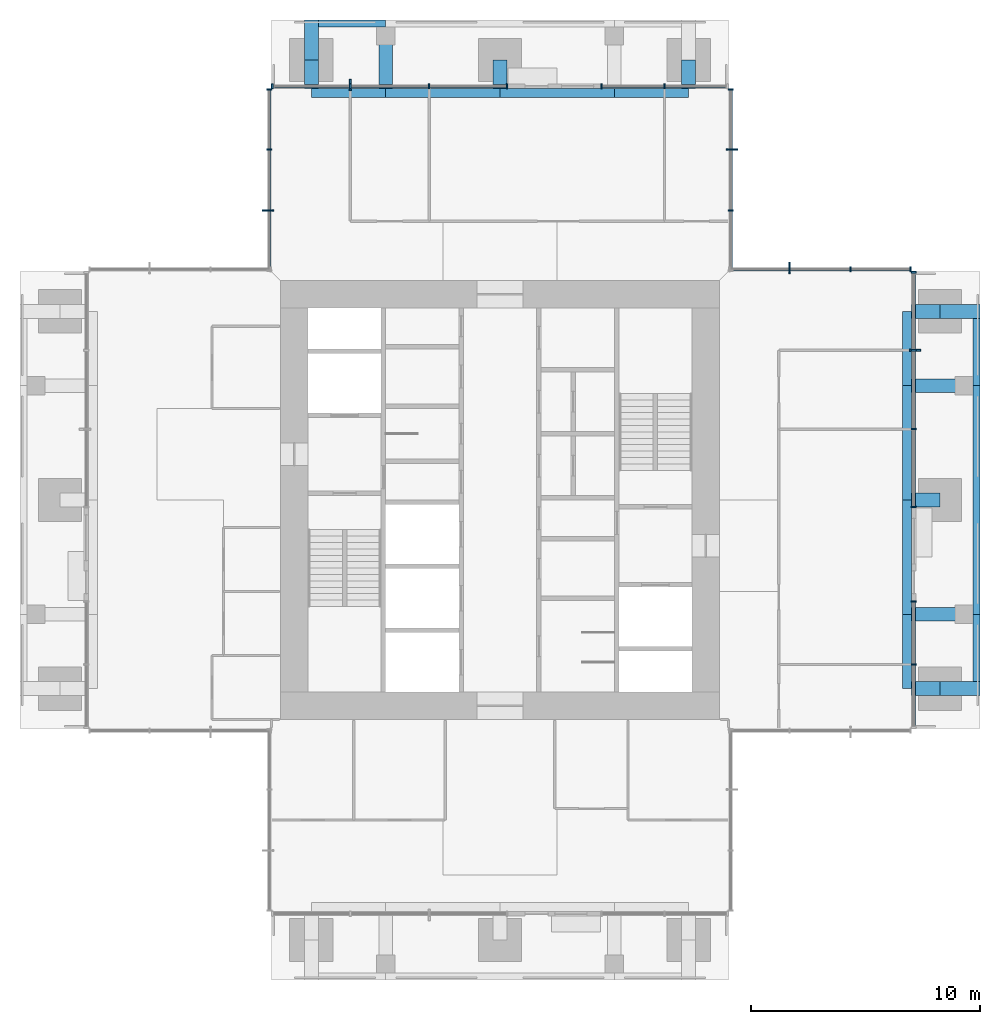
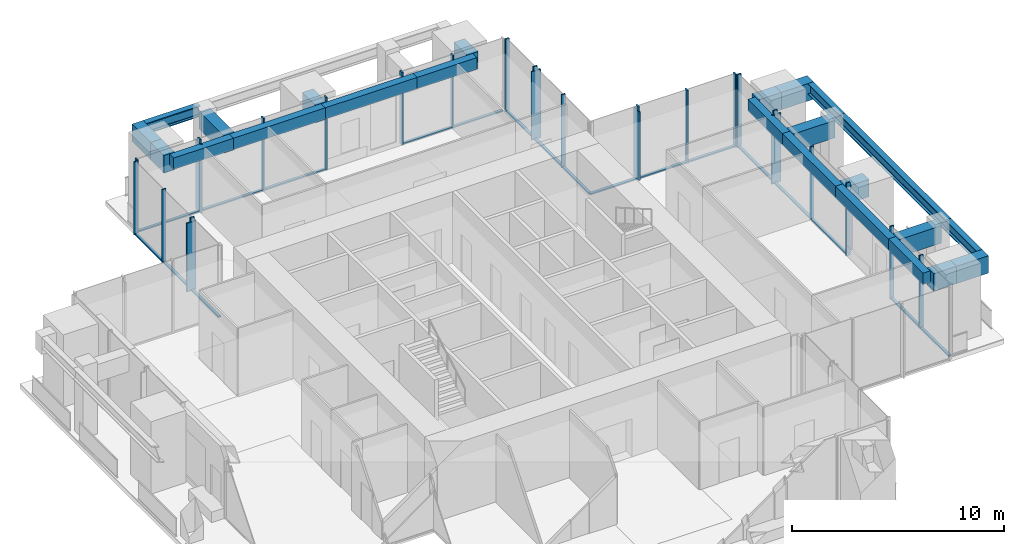
# One storey, part 4 of 12: 45 members, 24 beams, 7 elements without a shape of their own.
"""IFC4 building model written with IfcOpenShell, lengths in metres."""

from ifc_helpers import new_model, si_unit, direction, frame, origin, origin_2d, place, context, subcontext, project, spatial, rectangle, i_section, extrude, material, material_profile, profile_set, type_object, element, aggregate, save


model = new_model("IFC4")

# Units and contexts
model_context = context("Model", 3, precision=1e-05, world=origin(), true_north=direction((0.0, 1.0)))
body_context = subcontext(model_context, "Body", "Model", "MODEL_VIEW")
ifc_project = project(units=[si_unit("LENGTHUNIT", "METRE"), si_unit("AREAUNIT", "SQUARE_METRE"), si_unit("VOLUMEUNIT", "CUBIC_METRE"), si_unit("PLANEANGLEUNIT", "RADIAN"), si_unit("MASSUNIT", "GRAM", prefix="KILO")], contexts=[model_context])

# Site, building, storey
site_placement = place(None, origin())
site = spatial("IfcSite", under=ifc_project, at=site_placement, CompositionType="ELEMENT")
building_placement = place(site_placement, origin())
building = spatial("IfcBuilding", under=site, at=building_placement, Name="Svetlomir Tower", CompositionType="ELEMENT")
storey_placement = place(building_placement, frame((0.0, 0.0, 252.39990234375)))
storey = spatial("IfcBuildingStorey", under=building, at=storey_placement, Name="L60", CompositionType="ELEMENT", Elevation=252.39990234375)

# Curtain wall, member
ifc_material_1 = material(Name="Bronze anodised aluminium curtain wall", Category="aluminium")
curtain_wall_type = type_object("IfcCurtainWallType", Name="CURTAIN WALL CW4 EXECUTIVE", PredefinedType="NOTDEFINED", material=ifc_material_1)
curtain_wall_1_placement = place(storey_placement, origin())
curtain_wall_1 = element("IfcCurtainWall", 1, at=curtain_wall_1_placement, inside=storey, type_object=curtain_wall_type, Name="Curtain wall CW4 L60", PredefinedType="NOTDEFINED")
ifc_material_2 = material(Name="Bronze anodised aluminium", Category="aluminium")
ifc_material_profile_1 = material_profile(ifc_material_2, rectangle(XDim=0.080078125, YDim=0.5, at=origin_2d()), Name="FIN 80x500")
ifc_profile_set_1 = profile_set([ifc_material_profile_1], Name="Bronze anodised aluminium 6063-T6")
member_type_1 = type_object("IfcMemberType", Name="BRONZE FIN 80x500", PredefinedType="USERDEFINED", material=ifc_profile_set_1)
member_1_placement = place(storey_placement, frame((39.14990234375, 27.550048828125, 0.0), z_axis=(0.0, 0.0, 1.0), x_axis=(0.0, 1.0, 0.0)))
member_1 = element("IfcMember", 2, at=member_1_placement, type_object=member_type_1, Name="Bronze fin L60", ObjectType="FIN", PredefinedType="USERDEFINED", context=body_context, shape_type="SweptSolid", body=[
    extrude(rectangle(XDim=0.080078125, YDim=0.5, at=origin_2d()), origin(), (0.0, 0.0, 1.0), 3.9501953125),
])

curtain_wall_2_placement = place(storey_placement, origin())
curtain_wall_2 = element("IfcCurtainWall", 3, at=curtain_wall_2_placement, inside=storey, type_object=curtain_wall_type, Name="Curtain wall CW4 L60", PredefinedType="NOTDEFINED")
member_2_placement = place(storey_placement, frame((33.666748046875, 31.14990234375, 0.0), z_axis=(0.0, 0.0, 1.0), x_axis=(1.0, 0.0, 0.0)))
member_2 = element("IfcMember", 4, at=member_2_placement, type_object=member_type_1, Name="Bronze fin L60", ObjectType="FIN", PredefinedType="USERDEFINED", context=body_context, shape_type="SweptSolid", body=[
    extrude(rectangle(XDim=0.080078125, YDim=0.5, at=origin_2d()), origin(), (0.0, 0.0, 1.0), 3.9501953125),
])

curtain_wall_3_placement = place(storey_placement, origin())
curtain_wall_3 = element("IfcCurtainWall", 5, at=curtain_wall_3_placement, inside=storey, type_object=curtain_wall_type, Name="Curtain wall CW4 L60", PredefinedType="NOTDEFINED")
member_3_placement = place(storey_placement, frame((31.14990234375, 36.333251953125, 0.0), z_axis=(0.0, 0.0, 1.0), x_axis=(0.0, 1.0, 0.0)))
member_3 = element("IfcMember", 6, at=member_3_placement, type_object=member_type_1, Name="Bronze fin L60", ObjectType="FIN", PredefinedType="USERDEFINED", context=body_context, shape_type="SweptSolid", body=[
    extrude(rectangle(XDim=0.080078125, YDim=0.5, at=origin_2d()), origin(), (0.0, 0.0, 1.0), 3.9501953125),
])

curtain_wall_4_placement = place(storey_placement, origin())
curtain_wall_4 = element("IfcCurtainWall", 7, at=curtain_wall_4_placement, inside=storey, type_object=curtain_wall_type, Name="Curtain wall CW4 L60", PredefinedType="NOTDEFINED")
member_4_placement = place(storey_placement, frame((14.449951171875, 39.14990234375, 0.0), z_axis=(0.0, 0.0, 1.0), x_axis=(1.0, 0.0, 0.0)))
member_4 = element("IfcMember", 8, at=member_4_placement, type_object=member_type_1, Name="Bronze fin L60", ObjectType="FIN", PredefinedType="USERDEFINED", context=body_context, shape_type="SweptSolid", body=[
    extrude(rectangle(XDim=0.080078125, YDim=0.5, at=origin_2d()), origin(), (0.0, 0.0, 1.0), 3.9501953125),
])

curtain_wall_5_placement = place(storey_placement, origin())
curtain_wall_5 = element("IfcCurtainWall", 9, at=curtain_wall_5_placement, inside=storey, type_object=curtain_wall_type, Name="Curtain wall CW4 L60", PredefinedType="NOTDEFINED")
member_5_placement = place(storey_placement, frame((10.85009765625, 33.666748046875, 0.0), z_axis=(0.0, 0.0, 1.0), x_axis=(0.0, 1.0, 0.0)))
member_5 = element("IfcMember", 10, at=member_5_placement, type_object=member_type_1, Name="Bronze fin L60", ObjectType="FIN", PredefinedType="USERDEFINED", context=body_context, shape_type="SweptSolid", body=[
    extrude(rectangle(XDim=0.080078125, YDim=0.5, at=origin_2d()), origin(), (0.0, 0.0, 1.0), 3.9501953125),
])

# Curtain wall, members
curtain_wall_6_placement = place(storey_placement, origin())
curtain_wall_6 = element("IfcCurtainWall", 11, at=curtain_wall_6_placement, inside=storey, type_object=curtain_wall_type, Name="Curtain wall CW4 L60", PredefinedType="NOTDEFINED")
ifc_material_3 = material(Name="Bronze anodised aluminium", Category="aluminium")
ifc_material_profile_2 = material_profile(ifc_material_3, rectangle(XDim=0.074951171875, YDim=0.219970703125, at=origin_2d()), Name="AL 75x220")
ifc_profile_set_2 = profile_set([ifc_material_profile_2], Name="Bronze anodised aluminium 6063-T6")
member_type_2 = type_object("IfcMemberType", Name="CW4 MULLION 75x220", PredefinedType="MULLION", material=ifc_profile_set_2)
member_6_placement = place(storey_placement, frame((39.10009765625, 13.800048828125, 0.0), z_axis=(0.0, 0.0, 1.0), x_axis=(0.0, 1.0, 0.0)))
member_6 = element("IfcMember", 12, at=member_6_placement, type_object=member_type_2, Name="CW4 mullion 2", PredefinedType="MULLION", context=body_context, shape_type="SweptSolid", body=[
    extrude(rectangle(XDim=0.074951171875, YDim=0.219970703125, at=origin_2d()), origin(), (0.0, 0.0, 1.0), 4.2001953125),
])
member_7_placement = place(storey_placement, frame((39.10009765625, 16.5625, 0.0), z_axis=(0.0, 0.0, 1.0), x_axis=(0.0, 1.0, 0.0)))
member_7 = element("IfcMember", 13, at=member_7_placement, type_object=member_type_2, Name="CW4 mullion 3", PredefinedType="MULLION", context=body_context, shape_type="SweptSolid", body=[
    extrude(rectangle(XDim=0.074951171875, YDim=0.219970703125, at=origin_2d()), origin(), (0.0, 0.0, 1.0), 4.2001953125),
])

# Member
member_8_placement = place(storey_placement, frame((39.10009765625, 20.6875, 0.0), z_axis=(0.0, 0.0, 1.0), x_axis=(0.0, 1.0, 0.0)))
member_8 = element("IfcMember", 14, at=member_8_placement, type_object=member_type_2, Name="CW4 mullion 1", PredefinedType="MULLION", context=body_context, shape_type="SweptSolid", body=[
    extrude(rectangle(XDim=0.074951171875, YDim=0.219970703125, at=origin_2d()), origin(), (0.0, 0.0, 1.0), 4.2001953125),
])

member_9_placement = place(storey_placement, frame((39.10009765625, 24.10009765625, 0.0), z_axis=(0.0, 0.0, 1.0), x_axis=(0.0, 1.0, 0.0)))
member_9 = element("IfcMember", 15, at=member_9_placement, type_object=member_type_2, Name="CW4 mullion 2", PredefinedType="MULLION", context=body_context, shape_type="SweptSolid", body=[
    extrude(rectangle(XDim=0.074951171875, YDim=0.219970703125, at=origin_2d()), origin(), (0.0, 0.0, 1.0), 4.2001953125),
])

member_10_placement = place(storey_placement, frame((39.10009765625, 27.550048828125, 0.0), z_axis=(0.0, 0.0, 1.0), x_axis=(0.0, 1.0, 0.0)))
member_10 = element("IfcMember", 16, at=member_10_placement, type_object=member_type_2, Name="CW4 mullion 3", PredefinedType="MULLION", context=body_context, shape_type="SweptSolid", body=[
    extrude(rectangle(XDim=0.074951171875, YDim=0.219970703125, at=origin_2d()), origin(), (0.0, 0.0, 1.0), 4.2001953125),
])

member_11_placement = place(storey_placement, frame((39.10009765625, 30.96240234375, 0.0), z_axis=(0.0, 0.0, 1.0), x_axis=(0.0, 1.0, 0.0)))
member_11 = element("IfcMember", 17, at=member_11_placement, type_object=member_type_2, Name="CW4 mullion 4", PredefinedType="MULLION", context=body_context, shape_type="SweptSolid", body=[
    extrude(rectangle(XDim=0.074951171875, YDim=0.219970703125, at=origin_2d()), origin(), (0.0, 0.0, 1.0), 4.2001953125),
])

member_12_placement = place(storey_placement, frame((38.96240234375, 31.10009765625, 0.0), z_axis=(0.0, 0.0, 1.0), x_axis=(-1.0, 0.0, 0.0)))
member_12 = element("IfcMember", 18, at=member_12_placement, type_object=member_type_2, Name="CW4 mullion 1", PredefinedType="MULLION", context=body_context, shape_type="SweptSolid", body=[
    extrude(rectangle(XDim=0.074951171875, YDim=0.219970703125, at=origin_2d()), origin(), (0.0, 0.0, 1.0), 4.2001953125),
])

member_13_placement = place(storey_placement, frame((36.333251953125, 31.10009765625, 0.0), z_axis=(0.0, 0.0, 1.0), x_axis=(-1.0, 0.0, 0.0)))
member_13 = element("IfcMember", 19, at=member_13_placement, type_object=member_type_2, Name="CW4 mullion 2", PredefinedType="MULLION", context=body_context, shape_type="SweptSolid", body=[
    extrude(rectangle(XDim=0.074951171875, YDim=0.219970703125, at=origin_2d()), origin(), (0.0, 0.0, 1.0), 4.2001953125),
])

member_14_placement = place(storey_placement, frame((33.666748046875, 31.10009765625, 0.0), z_axis=(0.0, 0.0, 1.0), x_axis=(-1.0, 0.0, 0.0)))
member_14 = element("IfcMember", 20, at=member_14_placement, type_object=member_type_2, Name="CW4 mullion 3", PredefinedType="MULLION", context=body_context, shape_type="SweptSolid", body=[
    extrude(rectangle(XDim=0.074951171875, YDim=0.219970703125, at=origin_2d()), origin(), (0.0, 0.0, 1.0), 4.2001953125),
])

member_15_placement = place(storey_placement, frame((31.10009765625, 33.666748046875, 0.0), z_axis=(0.0, 0.0, 1.0), x_axis=(0.0, 1.0, 0.0)))
member_15 = element("IfcMember", 21, at=member_15_placement, type_object=member_type_2, Name="CW4 mullion 2", PredefinedType="MULLION", context=body_context, shape_type="SweptSolid", body=[
    extrude(rectangle(XDim=0.074951171875, YDim=0.219970703125, at=origin_2d()), origin(), (0.0, 0.0, 1.0), 4.2001953125),
])

member_16_placement = place(storey_placement, frame((31.10009765625, 36.333251953125, 0.0), z_axis=(0.0, 0.0, 1.0), x_axis=(0.0, 1.0, 0.0)))
member_16 = element("IfcMember", 22, at=member_16_placement, type_object=member_type_2, Name="CW4 mullion 3", PredefinedType="MULLION", context=body_context, shape_type="SweptSolid", body=[
    extrude(rectangle(XDim=0.074951171875, YDim=0.219970703125, at=origin_2d()), origin(), (0.0, 0.0, 1.0), 4.2001953125),
])

member_17_placement = place(storey_placement, frame((31.10009765625, 38.96240234375, 0.0), z_axis=(0.0, 0.0, 1.0), x_axis=(0.0, 1.0, 0.0)))
member_17 = element("IfcMember", 23, at=member_17_placement, type_object=member_type_2, Name="CW4 mullion 4", PredefinedType="MULLION", context=body_context, shape_type="SweptSolid", body=[
    extrude(rectangle(XDim=0.074951171875, YDim=0.219970703125, at=origin_2d()), origin(), (0.0, 0.0, 1.0), 4.2001953125),
])

# Curtain wall, members
curtain_wall_7_placement = place(storey_placement, origin())
curtain_wall_7 = element("IfcCurtainWall", 24, at=curtain_wall_7_placement, inside=storey, type_object=curtain_wall_type, Name="Curtain wall CW4 L60", PredefinedType="NOTDEFINED")
member_18_placement = place(storey_placement, frame((28.199951171875, 39.10009765625, 0.0), z_axis=(0.0, 0.0, 1.0), x_axis=(-1.0, 0.0, 0.0)))
member_18 = element("IfcMember", 25, at=member_18_placement, type_object=member_type_2, Name="CW4 mullion 2", PredefinedType="MULLION", context=body_context, shape_type="SweptSolid", body=[
    extrude(rectangle(XDim=0.074951171875, YDim=0.219970703125, at=origin_2d()), origin(), (0.0, 0.0, 1.0), 4.2001953125),
])
member_19_placement = place(storey_placement, frame((25.4375, 39.10009765625, 0.0), z_axis=(0.0, 0.0, 1.0), x_axis=(-1.0, 0.0, 0.0)))
member_19 = element("IfcMember", 26, at=member_19_placement, type_object=member_type_2, Name="CW4 mullion 3", PredefinedType="MULLION", context=body_context, shape_type="SweptSolid", body=[
    extrude(rectangle(XDim=0.074951171875, YDim=0.219970703125, at=origin_2d()), origin(), (0.0, 0.0, 1.0), 4.2001953125),
])

# Member
member_20_placement = place(storey_placement, frame((21.3125, 39.10009765625, 0.0), z_axis=(0.0, 0.0, 1.0), x_axis=(-1.0, 0.0, 0.0)))
member_20 = element("IfcMember", 27, at=member_20_placement, type_object=member_type_2, Name="CW4 mullion 1", PredefinedType="MULLION", context=body_context, shape_type="SweptSolid", body=[
    extrude(rectangle(XDim=0.074951171875, YDim=0.219970703125, at=origin_2d()), origin(), (0.0, 0.0, 1.0), 4.2001953125),
])

member_21_placement = place(storey_placement, frame((17.89990234375, 39.10009765625, 0.0), z_axis=(0.0, 0.0, 1.0), x_axis=(-1.0, 0.0, 0.0)))
member_21 = element("IfcMember", 28, at=member_21_placement, type_object=member_type_2, Name="CW4 mullion 2", PredefinedType="MULLION", context=body_context, shape_type="SweptSolid", body=[
    extrude(rectangle(XDim=0.074951171875, YDim=0.219970703125, at=origin_2d()), origin(), (0.0, 0.0, 1.0), 4.2001953125),
])

member_22_placement = place(storey_placement, frame((14.449951171875, 39.10009765625, 0.0), z_axis=(0.0, 0.0, 1.0), x_axis=(-1.0, 0.0, 0.0)))
member_22 = element("IfcMember", 29, at=member_22_placement, type_object=member_type_2, Name="CW4 mullion 3", PredefinedType="MULLION", context=body_context, shape_type="SweptSolid", body=[
    extrude(rectangle(XDim=0.074951171875, YDim=0.219970703125, at=origin_2d()), origin(), (0.0, 0.0, 1.0), 4.2001953125),
])

member_23_placement = place(storey_placement, frame((11.03759765625, 39.10009765625, 0.0), z_axis=(0.0, 0.0, 1.0), x_axis=(-1.0, 0.0, 0.0)))
member_23 = element("IfcMember", 30, at=member_23_placement, type_object=member_type_2, Name="CW4 mullion 4", PredefinedType="MULLION", context=body_context, shape_type="SweptSolid", body=[
    extrude(rectangle(XDim=0.074951171875, YDim=0.219970703125, at=origin_2d()), origin(), (0.0, 0.0, 1.0), 4.2001953125),
])

member_24_placement = place(storey_placement, frame((10.89990234375, 38.96240234375, 0.0), z_axis=(0.0, 0.0, 1.0), x_axis=(0.0, -1.0, 0.0)))
member_24 = element("IfcMember", 31, at=member_24_placement, type_object=member_type_2, Name="CW4 mullion 1", PredefinedType="MULLION", context=body_context, shape_type="SweptSolid", body=[
    extrude(rectangle(XDim=0.074951171875, YDim=0.219970703125, at=origin_2d()), origin(), (0.0, 0.0, 1.0), 4.2001953125),
])

member_25_placement = place(storey_placement, frame((10.89990234375, 36.333251953125, 0.0), z_axis=(0.0, 0.0, 1.0), x_axis=(0.0, -1.0, 0.0)))
member_25 = element("IfcMember", 32, at=member_25_placement, type_object=member_type_2, Name="CW4 mullion 2", PredefinedType="MULLION", context=body_context, shape_type="SweptSolid", body=[
    extrude(rectangle(XDim=0.074951171875, YDim=0.219970703125, at=origin_2d()), origin(), (0.0, 0.0, 1.0), 4.2001953125),
])

member_26_placement = place(storey_placement, frame((10.89990234375, 33.666748046875, 0.0), z_axis=(0.0, 0.0, 1.0), x_axis=(0.0, -1.0, 0.0)))
member_26 = element("IfcMember", 33, at=member_26_placement, type_object=member_type_2, Name="CW4 mullion 3", PredefinedType="MULLION", context=body_context, shape_type="SweptSolid", body=[
    extrude(rectangle(XDim=0.074951171875, YDim=0.219970703125, at=origin_2d()), origin(), (0.0, 0.0, 1.0), 4.2001953125),
])

ifc_material_4 = material(Name="Bronze anodised aluminium", Category="aluminium")
ifc_material_profile_3 = material_profile(ifc_material_4, rectangle(XDim=0.14990234375, YDim=0.074951171875, at=origin_2d()), Name="AL 150x75")
ifc_profile_set_3 = profile_set([ifc_material_profile_3], Name="Bronze anodised aluminium 6063-T6")
member_type_3 = type_object("IfcMemberType", Name="CW4 TRANSOM 75x150", PredefinedType="USERDEFINED", material=ifc_profile_set_3)
member_27_placement = place(storey_placement, frame((39.10009765625, 11.074951171875, 0.03759765625), z_axis=(0.0, 1.0, 0.0), x_axis=(-1.0, 0.0, 0.0)))
member_27 = element("IfcMember", 34, at=member_27_placement, type_object=member_type_3, Name="CW4 transom 1.1", ObjectType="TRANSOM", PredefinedType="USERDEFINED", context=body_context, shape_type="SweptSolid", body=[
    extrude(rectangle(XDim=0.14990234375, YDim=0.074951171875, at=origin_2d()), origin(), (0.0, 0.0, 1.0), 2.6875),
])

member_28_placement = place(storey_placement, frame((39.10009765625, 13.83740234375, 0.03759765625), z_axis=(0.0, 1.0, 0.0), x_axis=(-1.0, 0.0, 0.0)))
member_28 = element("IfcMember", 35, at=member_28_placement, type_object=member_type_3, Name="CW4 transom 2.1", ObjectType="TRANSOM", PredefinedType="USERDEFINED", context=body_context, shape_type="SweptSolid", body=[
    extrude(rectangle(XDim=0.14990234375, YDim=0.074951171875, at=origin_2d()), origin(), (0.0, 0.0, 1.0), 2.6875),
])

aggregate(curtain_wall_6, [member_6, member_7, member_27, member_28])

member_29_placement = place(storey_placement, frame((39.10009765625, 20.72509765625, 0.03759765625), z_axis=(0.0, 1.0, 0.0), x_axis=(-1.0, 0.0, 0.0)))
member_29 = element("IfcMember", 36, at=member_29_placement, type_object=member_type_3, Name="CW4 transom 1.1", ObjectType="TRANSOM", PredefinedType="USERDEFINED", context=body_context, shape_type="SweptSolid", body=[
    extrude(rectangle(XDim=0.14990234375, YDim=0.074951171875, at=origin_2d()), origin(), (0.0, 0.0, 1.0), 3.33740234375),
])

member_30_placement = place(storey_placement, frame((39.10009765625, 24.137451171875, 0.03759765625), z_axis=(0.0, 1.0, 0.0), x_axis=(-1.0, 0.0, 0.0)))
member_30 = element("IfcMember", 37, at=member_30_placement, type_object=member_type_3, Name="CW4 transom 2.1", ObjectType="TRANSOM", PredefinedType="USERDEFINED", context=body_context, shape_type="SweptSolid", body=[
    extrude(rectangle(XDim=0.14990234375, YDim=0.074951171875, at=origin_2d()), origin(), (0.0, 0.0, 1.0), 3.375),
])

member_31_placement = place(storey_placement, frame((39.10009765625, 27.58740234375, 0.03759765625), z_axis=(0.0, 1.0, 0.0), x_axis=(-1.0, 0.0, 0.0)))
member_31 = element("IfcMember", 38, at=member_31_placement, type_object=member_type_3, Name="CW4 transom 3.1", ObjectType="TRANSOM", PredefinedType="USERDEFINED", context=body_context, shape_type="SweptSolid", body=[
    extrude(rectangle(XDim=0.14990234375, YDim=0.074951171875, at=origin_2d()), origin(), (0.0, 0.0, 1.0), 3.337646484375),
])

aggregate(curtain_wall_1, [member_8, member_9, member_10, member_11, member_29, member_30, member_31, member_1])

member_32_placement = place(storey_placement, frame((38.925048828125, 31.10009765625, 0.03759765625), z_axis=(-1.0, 0.0, 0.0), x_axis=(0.0, -1.0, 0.0)))
member_32 = element("IfcMember", 39, at=member_32_placement, type_object=member_type_3, Name="CW4 transom 1.1", ObjectType="TRANSOM", PredefinedType="USERDEFINED", context=body_context, shape_type="SweptSolid", body=[
    extrude(rectangle(XDim=0.14990234375, YDim=0.074951171875, at=origin_2d()), origin(), (0.0, 0.0, 1.0), 2.55419921875),
])

member_33_placement = place(storey_placement, frame((36.2958984375, 31.10009765625, 0.03759765625), z_axis=(-1.0, 0.0, 0.0), x_axis=(0.0, -1.0, 0.0)))
member_33 = element("IfcMember", 40, at=member_33_placement, type_object=member_type_3, Name="CW4 transom 2.1", ObjectType="TRANSOM", PredefinedType="USERDEFINED", context=body_context, shape_type="SweptSolid", body=[
    extrude(rectangle(XDim=0.14990234375, YDim=0.074951171875, at=origin_2d()), origin(), (0.0, 0.0, 1.0), 2.591796875),
])

member_34_placement = place(storey_placement, frame((33.629150390625, 31.10009765625, 0.03759765625), z_axis=(-1.0, 0.0, 0.0), x_axis=(0.0, -1.0, 0.0)))
member_34 = element("IfcMember", 41, at=member_34_placement, type_object=member_type_3, Name="CW4 transom 3.1", ObjectType="TRANSOM", PredefinedType="USERDEFINED", context=body_context, shape_type="SweptSolid", body=[
    extrude(rectangle(XDim=0.14990234375, YDim=0.074951171875, at=origin_2d()), origin(), (0.0, 0.0, 1.0), 2.55419921875),
])

aggregate(curtain_wall_2, [member_12, member_13, member_14, member_32, member_33, member_34, member_2])

member_35_placement = place(storey_placement, frame((31.10009765625, 31.074951171875, 0.03759765625), z_axis=(0.0, 1.0, 0.0), x_axis=(-1.0, 0.0, 0.0)))
member_35 = element("IfcMember", 42, at=member_35_placement, type_object=member_type_3, Name="CW4 transom 1.1", ObjectType="TRANSOM", PredefinedType="USERDEFINED", context=body_context, shape_type="SweptSolid", body=[
    extrude(rectangle(XDim=0.14990234375, YDim=0.074951171875, at=origin_2d()), origin(), (0.0, 0.0, 1.0), 2.55419921875),
])

member_36_placement = place(storey_placement, frame((31.10009765625, 33.7041015625, 0.03759765625), z_axis=(0.0, 1.0, 0.0), x_axis=(-1.0, 0.0, 0.0)))
member_36 = element("IfcMember", 43, at=member_36_placement, type_object=member_type_3, Name="CW4 transom 2.1", ObjectType="TRANSOM", PredefinedType="USERDEFINED", context=body_context, shape_type="SweptSolid", body=[
    extrude(rectangle(XDim=0.14990234375, YDim=0.074951171875, at=origin_2d()), origin(), (0.0, 0.0, 1.0), 2.591796875),
])

member_37_placement = place(storey_placement, frame((31.10009765625, 36.370849609375, 0.03759765625), z_axis=(0.0, 1.0, 0.0), x_axis=(-1.0, 0.0, 0.0)))
member_37 = element("IfcMember", 44, at=member_37_placement, type_object=member_type_3, Name="CW4 transom 3.1", ObjectType="TRANSOM", PredefinedType="USERDEFINED", context=body_context, shape_type="SweptSolid", body=[
    extrude(rectangle(XDim=0.14990234375, YDim=0.074951171875, at=origin_2d()), origin(), (0.0, 0.0, 1.0), 2.55419921875),
])

aggregate(curtain_wall_3, [member_15, member_16, member_17, member_35, member_36, member_37, member_3])

member_38_placement = place(storey_placement, frame((30.925048828125, 39.10009765625, 0.03759765625), z_axis=(-1.0, 0.0, 0.0), x_axis=(0.0, -1.0, 0.0)))
member_38 = element("IfcMember", 45, at=member_38_placement, type_object=member_type_3, Name="CW4 transom 1.1", ObjectType="TRANSOM", PredefinedType="USERDEFINED", context=body_context, shape_type="SweptSolid", body=[
    extrude(rectangle(XDim=0.14990234375, YDim=0.074951171875, at=origin_2d()), origin(), (0.0, 0.0, 1.0), 2.6875),
])

member_39_placement = place(storey_placement, frame((28.16259765625, 39.10009765625, 0.03759765625), z_axis=(-1.0, 0.0, 0.0), x_axis=(0.0, -1.0, 0.0)))
member_39 = element("IfcMember", 46, at=member_39_placement, type_object=member_type_3, Name="CW4 transom 2.1", ObjectType="TRANSOM", PredefinedType="USERDEFINED", context=body_context, shape_type="SweptSolid", body=[
    extrude(rectangle(XDim=0.14990234375, YDim=0.074951171875, at=origin_2d()), origin(), (0.0, 0.0, 1.0), 2.6875),
])

aggregate(curtain_wall_7, [member_18, member_19, member_38, member_39])

member_40_placement = place(storey_placement, frame((21.27490234375, 39.10009765625, 0.03759765625), z_axis=(-1.0, 0.0, 0.0), x_axis=(0.0, -1.0, 0.0)))
member_40 = element("IfcMember", 47, at=member_40_placement, type_object=member_type_3, Name="CW4 transom 1.1", ObjectType="TRANSOM", PredefinedType="USERDEFINED", context=body_context, shape_type="SweptSolid", body=[
    extrude(rectangle(XDim=0.14990234375, YDim=0.074951171875, at=origin_2d()), origin(), (0.0, 0.0, 1.0), 3.33740234375),
])

member_41_placement = place(storey_placement, frame((17.862548828125, 39.10009765625, 0.03759765625), z_axis=(-1.0, 0.0, 0.0), x_axis=(0.0, -1.0, 0.0)))
member_41 = element("IfcMember", 48, at=member_41_placement, type_object=member_type_3, Name="CW4 transom 2.1", ObjectType="TRANSOM", PredefinedType="USERDEFINED", context=body_context, shape_type="SweptSolid", body=[
    extrude(rectangle(XDim=0.14990234375, YDim=0.074951171875, at=origin_2d()), origin(), (0.0, 0.0, 1.0), 3.375),
])

member_42_placement = place(storey_placement, frame((14.41259765625, 39.10009765625, 0.03759765625), z_axis=(-1.0, 0.0, 0.0), x_axis=(0.0, -1.0, 0.0)))
member_42 = element("IfcMember", 49, at=member_42_placement, type_object=member_type_3, Name="CW4 transom 3.1", ObjectType="TRANSOM", PredefinedType="USERDEFINED", context=body_context, shape_type="SweptSolid", body=[
    extrude(rectangle(XDim=0.14990234375, YDim=0.074951171875, at=origin_2d()), origin(), (0.0, 0.0, 1.0), 3.337646484375),
])

aggregate(curtain_wall_4, [member_20, member_21, member_22, member_23, member_40, member_41, member_42, member_4])

member_43_placement = place(storey_placement, frame((10.89990234375, 38.925048828125, 0.03759765625), z_axis=(0.0, -1.0, 0.0), x_axis=(1.0, 0.0, 0.0)))
member_43 = element("IfcMember", 50, at=member_43_placement, type_object=member_type_3, Name="CW4 transom 1.1", ObjectType="TRANSOM", PredefinedType="USERDEFINED", context=body_context, shape_type="SweptSolid", body=[
    extrude(rectangle(XDim=0.14990234375, YDim=0.074951171875, at=origin_2d()), origin(), (0.0, 0.0, 1.0), 2.55419921875),
])

member_44_placement = place(storey_placement, frame((10.89990234375, 36.2958984375, 0.03759765625), z_axis=(0.0, -1.0, 0.0), x_axis=(1.0, 0.0, 0.0)))
member_44 = element("IfcMember", 51, at=member_44_placement, type_object=member_type_3, Name="CW4 transom 2.1", ObjectType="TRANSOM", PredefinedType="USERDEFINED", context=body_context, shape_type="SweptSolid", body=[
    extrude(rectangle(XDim=0.14990234375, YDim=0.074951171875, at=origin_2d()), origin(), (0.0, 0.0, 1.0), 2.591796875),
])

member_45_placement = place(storey_placement, frame((10.89990234375, 33.629150390625, 0.03759765625), z_axis=(0.0, -1.0, 0.0), x_axis=(1.0, 0.0, 0.0)))
member_45 = element("IfcMember", 52, at=member_45_placement, type_object=member_type_3, Name="CW4 transom 3.1", ObjectType="TRANSOM", PredefinedType="USERDEFINED", context=body_context, shape_type="SweptSolid", body=[
    extrude(rectangle(XDim=0.14990234375, YDim=0.074951171875, at=origin_2d()), origin(), (0.0, 0.0, 1.0), 2.55419921875),
])

aggregate(curtain_wall_5, [member_24, member_25, member_26, member_43, member_44, member_45, member_5])

# Beams
ifc_material_5 = material(Name="Steel S355", Category="steel")
ifc_material_profile_4 = material_profile(ifc_material_5, i_section(OverallWidth=0.304931640625, OverallDepth=0.6201171875, WebThickness=0.02099609375, FlangeThickness=0.0400390625, FilletRadius=0.027099609375, at=origin_2d()), Name="HEM 600")
ifc_profile_set_4 = profile_set([ifc_material_profile_4], Name="Steel S355")
beam_type_1 = type_object("IfcBeamType", Name="EDGE BEAM HEM 600", PredefinedType="SPANDREL", material=ifc_profile_set_4)
for number, where, z_axis, x_axis, name in (
    (53, (41.847412109375, 13.050048828125, 3.64013671875), (0.0, 1.0, 0.0), (-1.0, 0.0, 0.0), "Edge beam 42/11 to 42/16 under L61"),
    (54, (13.050048828125, 41.847412109375, 3.64013671875), (1.0, 0.0, 0.0), (0.0, 1.0, 0.0), "Edge beam 11/42 to 16/42 under L61"),
):
    element("IfcBeam", number, at=place(storey_placement, frame(where, z_axis=z_axis, x_axis=x_axis)), inside=storey, type_object=beam_type_1, Name=name, PredefinedType="SPANDREL", context=body_context, shape_type="SweptSolid", body=[
        extrude(i_section(OverallWidth=0.304931640625, OverallDepth=0.6201171875, WebThickness=0.02099609375, FlangeThickness=0.0400390625, FilletRadius=0.027099609375, at=origin_2d()), origin(), (0.0, 0.0, 1.0), 2.949951171875),
    ])
beam_1_placement = place(storey_placement, frame((41.847412109375, 16.0, 3.64013671875), z_axis=(0.0, 1.0, 0.0), x_axis=(-1.0, 0.0, 0.0)))
element("IfcBeam", 55, at=beam_1_placement, inside=storey, type_object=beam_type_1, Name="Edge beam 42/16 to 42/26 under L61", PredefinedType="SPANDREL", context=body_context, shape_type="SweptSolid", body=[
    extrude(i_section(OverallWidth=0.304931640625, OverallDepth=0.6201171875, WebThickness=0.02099609375, FlangeThickness=0.0400390625, FilletRadius=0.027099609375, at=origin_2d()), origin(), (0.0, 0.0, 1.0), 10.0),
])
beam_2_placement = place(storey_placement, frame((41.847412109375, 26.0, 3.64013671875), z_axis=(0.0, 1.0, 0.0), x_axis=(-1.0, 0.0, 0.0)))
element("IfcBeam", 56, at=beam_2_placement, inside=storey, type_object=beam_type_1, Name="Edge beam 42/26 to 42/31 under L61", PredefinedType="SPANDREL", context=body_context, shape_type="SweptSolid", body=[
    extrude(i_section(OverallWidth=0.304931640625, OverallDepth=0.6201171875, WebThickness=0.02099609375, FlangeThickness=0.0400390625, FilletRadius=0.027099609375, at=origin_2d()), origin(), (0.0, 0.0, 1.0), 2.949951171875),
])
ifc_material_6 = material(Name="Concrete C60/75", Category="concrete")
ifc_material_profile_5 = material_profile(ifc_material_6, rectangle(XDim=0.60009765625, YDim=1.0, at=origin_2d()), Name="RC 600x1000")
ifc_profile_set_5 = profile_set([ifc_material_profile_5], Name="Concrete C60/75")
beam_type_2 = type_object("IfcBeamType", Name="EDGE LINK BEAM RC 600x1000", PredefinedType="BEAM", material=ifc_profile_set_5)
for number, where, z_axis, x_axis, name in (
    (57, (12.75, 40.25, 3.4501953125), (0.0, 1.0, 0.0), (-1.0, 0.0, 0.0), "Edge link beam N 11/42 under L61"),
    (58, (40.25, 12.75, 3.4501953125), (1.0, 0.0, 0.0), (0.0, 1.0, 0.0), "Edge link beam E 42/11 under L61"),
    (59, (40.25, 29.25, 3.4501953125), (1.0, 0.0, 0.0), (0.0, 1.0, 0.0), "Edge link beam E 42/31 under L61"),
):
    element("IfcBeam", number, at=place(storey_placement, frame(where, z_axis=z_axis, x_axis=x_axis)), inside=storey, type_object=beam_type_2, Name=name, PredefinedType="BEAM", context=body_context, shape_type="SweptSolid", body=[
        extrude(rectangle(XDim=0.60009765625, YDim=1.0, at=origin_2d()), origin(), (0.0, 0.0, 1.0), 1.75),
    ])
ifc_material_7 = material(Name="Concrete C60/75", Category="concrete")
ifc_material_profile_6 = material_profile(ifc_material_7, rectangle(XDim=0.39990234375, YDim=0.64990234375, at=origin_2d()), Name="RC 400x650")
ifc_profile_set_6 = profile_set([ifc_material_profile_6], Name="Concrete C60/75")
beam_type_3 = type_object("IfcBeamType", Name="FACADE EDGE BEAM RC 400x650", PredefinedType="BEAM", material=ifc_profile_set_6)
beam_3_placement = place(storey_placement, frame((12.75, 38.800048828125, 3.625), z_axis=(1.0, 0.0, 0.0), x_axis=(0.0, 1.0, 0.0)))
element("IfcBeam", 60, at=beam_3_placement, inside=storey, type_object=beam_type_3, Name="Facade edge beam N 11 to 16 under L61", PredefinedType="BEAM", context=body_context, shape_type="SweptSolid", body=[
    extrude(rectangle(XDim=0.39990234375, YDim=0.64990234375, at=origin_2d()), origin(), (0.0, 0.0, 1.0), 3.25),
])
for number, where, z_axis, x_axis, name in (
    (61, (16.0, 38.800048828125, 3.625), (1.0, 0.0, 0.0), (0.0, 1.0, 0.0), "Facade edge beam N 16 to 21 under L61"),
    (62, (21.0, 38.800048828125, 3.625), (1.0, 0.0, 0.0), (0.0, 1.0, 0.0), "Facade edge beam N 21 to 26 under L61"),
):
    element("IfcBeam", number, at=place(storey_placement, frame(where, z_axis=z_axis, x_axis=x_axis)), inside=storey, type_object=beam_type_3, Name=name, PredefinedType="BEAM", context=body_context, shape_type="SweptSolid", body=[
        extrude(rectangle(XDim=0.39990234375, YDim=0.64990234375, at=origin_2d()), origin(), (0.0, 0.0, 1.0), 5.0),
    ])
for number, where, z_axis, x_axis, name in (
    (63, (26.0, 38.800048828125, 3.625), (1.0, 0.0, 0.0), (0.0, 1.0, 0.0), "Facade edge beam N 26 to 31 under L61"),
    (64, (38.800048828125, 12.75, 3.625), (0.0, 1.0, 0.0), (-1.0, 0.0, 0.0), "Facade edge beam E 11 to 16 under L61"),
):
    element("IfcBeam", number, at=place(storey_placement, frame(where, z_axis=z_axis, x_axis=x_axis)), inside=storey, type_object=beam_type_3, Name=name, PredefinedType="BEAM", context=body_context, shape_type="SweptSolid", body=[
        extrude(rectangle(XDim=0.39990234375, YDim=0.64990234375, at=origin_2d()), origin(), (0.0, 0.0, 1.0), 3.25),
    ])
for number, where, z_axis, x_axis, name in (
    (65, (38.800048828125, 16.0, 3.625), (0.0, 1.0, 0.0), (-1.0, 0.0, 0.0), "Facade edge beam E 16 to 21 under L61"),
    (66, (38.800048828125, 21.0, 3.625), (0.0, 1.0, 0.0), (-1.0, 0.0, 0.0), "Facade edge beam E 21 to 26 under L61"),
):
    element("IfcBeam", number, at=place(storey_placement, frame(where, z_axis=z_axis, x_axis=x_axis)), inside=storey, type_object=beam_type_3, Name=name, PredefinedType="BEAM", context=body_context, shape_type="SweptSolid", body=[
        extrude(rectangle(XDim=0.39990234375, YDim=0.64990234375, at=origin_2d()), origin(), (0.0, 0.0, 1.0), 5.0),
    ])
beam_4_placement = place(storey_placement, frame((38.800048828125, 26.0, 3.625), z_axis=(0.0, 1.0, 0.0), x_axis=(-1.0, 0.0, 0.0)))
element("IfcBeam", 67, at=beam_4_placement, inside=storey, type_object=beam_type_3, Name="Facade edge beam E 26 to 31 under L61", PredefinedType="BEAM", context=body_context, shape_type="SweptSolid", body=[
    extrude(rectangle(XDim=0.39990234375, YDim=0.64990234375, at=origin_2d()), origin(), (0.0, 0.0, 1.0), 3.25),
])
ifc_material_8 = material(Name="Concrete C60/75", Category="concrete")
ifc_material_profile_7 = material_profile(ifc_material_8, rectangle(XDim=0.60009765625, YDim=1.0, at=origin_2d()), Name="RC 600x1000")
ifc_profile_set_7 = profile_set([ifc_material_profile_7], Name="Concrete C60/75")
beam_type_4 = type_object("IfcBeamType", Name="LOGGIA LINK BEAM RC 600x1000", PredefinedType="BEAM", material=ifc_profile_set_7)
beam_5_placement = place(storey_placement, frame((12.75, 40.25, 3.4501953125), z_axis=(0.0, -1.0, 0.0), x_axis=(1.0, 0.0, 0.0)))
element("IfcBeam", 68, at=beam_5_placement, inside=storey, type_object=beam_type_4, Name="Loggia link beam N 11 under L61", PredefinedType="BEAM", context=body_context, shape_type="SweptSolid", body=[
    extrude(rectangle(XDim=0.60009765625, YDim=1.0, at=origin_2d()), origin(), (0.0, 0.0, 1.0), 1.25),
])
beam_6_placement = place(storey_placement, frame((16.0, 41.300048828125, 3.4501953125), z_axis=(0.0, -1.0, 0.0), x_axis=(1.0, 0.0, 0.0)))
element("IfcBeam", 69, at=beam_6_placement, inside=storey, type_object=beam_type_4, Name="Loggia link beam N 16 under L61", PredefinedType="BEAM", context=body_context, shape_type="SweptSolid", body=[
    extrude(rectangle(XDim=0.60009765625, YDim=1.0, at=origin_2d()), origin(), (0.0, 0.0, 1.0), 2.300048828125),
])
for number, where, z_axis, x_axis, name in (
    (70, (21.0, 40.25, 3.4501953125), (0.0, -1.0, 0.0), (1.0, 0.0, 0.0), "Loggia link beam N 21 under L61"),
    (71, (29.25, 40.25, 3.4501953125), (0.0, -1.0, 0.0), (1.0, 0.0, 0.0), "Loggia link beam N 31 under L61"),
    (72, (40.25, 12.75, 3.4501953125), (-1.0, 0.0, 0.0), (0.0, -1.0, 0.0), "Loggia link beam E 11 under L61"),
):
    element("IfcBeam", number, at=place(storey_placement, frame(where, z_axis=z_axis, x_axis=x_axis)), inside=storey, type_object=beam_type_4, Name=name, PredefinedType="BEAM", context=body_context, shape_type="SweptSolid", body=[
        extrude(rectangle(XDim=0.60009765625, YDim=1.0, at=origin_2d()), origin(), (0.0, 0.0, 1.0), 1.25),
    ])
beam_7_placement = place(storey_placement, frame((41.300048828125, 16.0, 3.4501953125), z_axis=(-1.0, 0.0, 0.0), x_axis=(0.0, -1.0, 0.0)))
element("IfcBeam", 73, at=beam_7_placement, inside=storey, type_object=beam_type_4, Name="Loggia link beam E 16 under L61", PredefinedType="BEAM", context=body_context, shape_type="SweptSolid", body=[
    extrude(rectangle(XDim=0.60009765625, YDim=1.0, at=origin_2d()), origin(), (0.0, 0.0, 1.0), 2.300048828125),
])
beam_8_placement = place(storey_placement, frame((40.25, 21.0, 3.4501953125), z_axis=(-1.0, 0.0, 0.0), x_axis=(0.0, -1.0, 0.0)))
element("IfcBeam", 74, at=beam_8_placement, inside=storey, type_object=beam_type_4, Name="Loggia link beam E 21 under L61", PredefinedType="BEAM", context=body_context, shape_type="SweptSolid", body=[
    extrude(rectangle(XDim=0.60009765625, YDim=1.0, at=origin_2d()), origin(), (0.0, 0.0, 1.0), 1.25),
])
beam_9_placement = place(storey_placement, frame((41.300048828125, 26.0, 3.4501953125), z_axis=(-1.0, 0.0, 0.0), x_axis=(0.0, -1.0, 0.0)))
element("IfcBeam", 75, at=beam_9_placement, inside=storey, type_object=beam_type_4, Name="Loggia link beam E 26 under L61", PredefinedType="BEAM", context=body_context, shape_type="SweptSolid", body=[
    extrude(rectangle(XDim=0.60009765625, YDim=1.0, at=origin_2d()), origin(), (0.0, 0.0, 1.0), 2.300048828125),
])
beam_10_placement = place(storey_placement, frame((40.25, 29.25, 3.4501953125), z_axis=(-1.0, 0.0, 0.0), x_axis=(0.0, -1.0, 0.0)))
element("IfcBeam", 76, at=beam_10_placement, inside=storey, type_object=beam_type_4, Name="Loggia link beam E 31 under L61", PredefinedType="BEAM", context=body_context, shape_type="SweptSolid", body=[
    extrude(rectangle(XDim=0.60009765625, YDim=1.0, at=origin_2d()), origin(), (0.0, 0.0, 1.0), 1.25),
])

save(model, "model.ifc")
